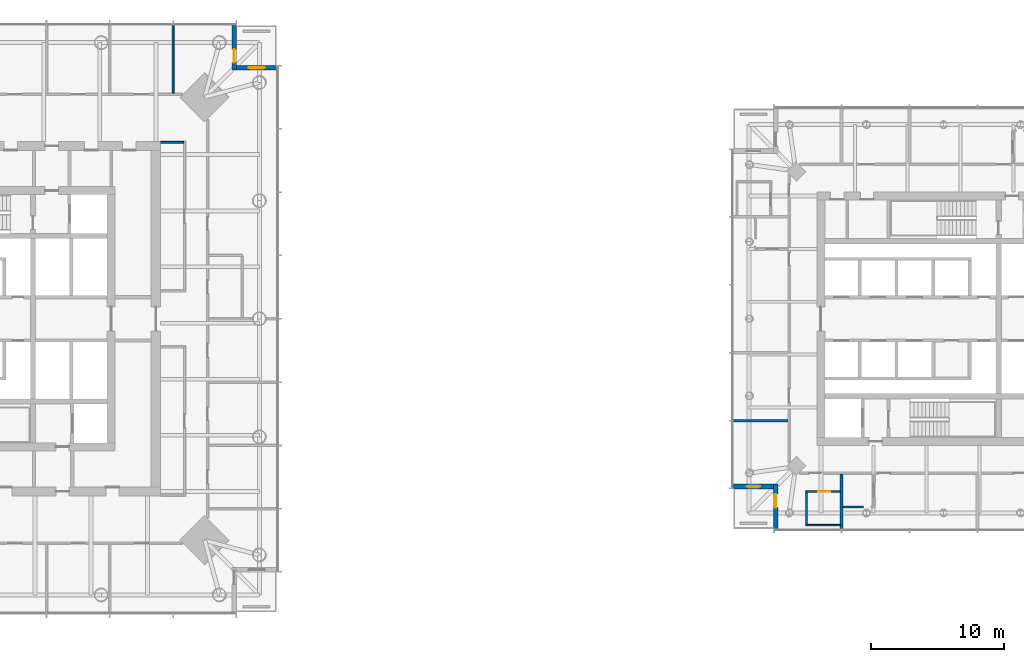
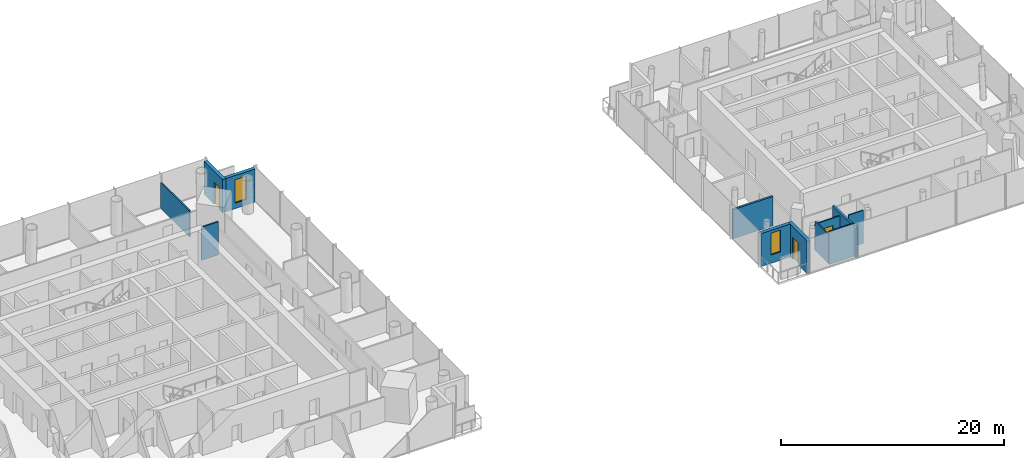
# One storey, part 12 of 18: 12 walls, 3 doors, 2 windows, 5 openings.
"""IFC4 building model written with IfcOpenShell, lengths in metres."""

from ifc_helpers import new_model, si_unit, direction, frame, frame_2d, origin, place, context, subcontext, project, spatial, rectangle, extrude, material, layer, layer_set, type_object, element, fill, save


model = new_model("IFC4")

# Units and contexts
model_context = context("Model", 3, precision=1e-05, world=origin(), true_north=direction((0.0, 1.0)))
body_context = subcontext(model_context, "Body", "Model", "MODEL_VIEW")
ifc_project = project(units=[si_unit("LENGTHUNIT", "METRE"), si_unit("AREAUNIT", "SQUARE_METRE"), si_unit("VOLUMEUNIT", "CUBIC_METRE"), si_unit("PLANEANGLEUNIT", "RADIAN"), si_unit("MASSUNIT", "GRAM", prefix="KILO")], contexts=[model_context])

# Site, building, storey
site_placement = place(None, origin())
site = spatial("IfcSite", under=ifc_project, at=site_placement, CompositionType="ELEMENT")
building_placement = place(site_placement, origin())
building = spatial("IfcBuilding", under=site, at=building_placement, Name="Ostroluk Exchange", CompositionType="ELEMENT")
storey_placement = place(building_placement, frame((0.0, 0.0, 123.60009765625)))
storey = spatial("IfcBuildingStorey", under=building, at=storey_placement, Name="L31", CompositionType="ELEMENT", Elevation=123.60009765625)

# Wall, opening, door
ifc_material_1 = material(Name="Limestone", Category="masonry")
ifc_layer_1 = layer(ifc_material_1, 0.35009765625)
ifc_layer_set_1 = layer_set([ifc_layer_1], Name="Limestone facade wall 350")
wall_type_1 = type_object("IfcWallType", Name="Limestone facade wall 350", PredefinedType="SOLIDWALL", material=ifc_layer_set_1)
wall_1_placement = place(storey_placement, frame((63.824951171875, 68.0, 0.0), z_axis=(0.0, 0.0, 1.0), x_axis=(0.0, -1.0, 0.0)))
wall_1 = element("IfcWall", 1, at=wall_1_placement, inside=storey, type_object=wall_type_1, Name="Office tower NE corner wall L31 a", PredefinedType="SOLIDWALL", context=body_context, shape_type="SweptSolid", body=[
    extrude(rectangle(XDim=3.35009765625, YDim=0.35009765625, at=frame_2d((1.675048828125, 0.0))), origin(), (0.0, 0.0, 1.0), 3.619873046875),
])
opening_1_placement = place(wall_1_placement, frame((1.800048828125, 0.0, 0.0)))
opening_1 = element("IfcOpeningElement", 2, at=opening_1_placement, cuts=wall_1, Name="Opening D-B1", PredefinedType="OPENING", context=body_context, shape_type="SweptSolid", body=[
    extrude(rectangle(XDim=1.0, YDim=2.39990234375, at=frame_2d((0.5, 1.199951171875))), frame((0.0, 0.18505859375, 0.0), z_axis=(0.0, -1.0, 0.0), x_axis=(1.0, 0.0, 0.0)), (0.0, 0.0, 1.0), 0.3701171875),
])
ifc_material_2 = material(Name="Bronze framed glazed door", Category="aluminium")
door_type_1 = type_object("IfcDoorType", Name="Balcony door 1000 x 2400", OperationType="SINGLE_SWING_LEFT", PredefinedType="DOOR", material=ifc_material_2)
door_1_placement = place(opening_1_placement, origin())
door_1 = element("IfcDoor", 3, at=door_1_placement, inside=storey, type_object=door_type_1, Name="Office tower NE balcony door L31", OperationType="SINGLE_SWING_RIGHT", OverallHeight=2.39990234375, OverallWidth=1.0, PredefinedType="DOOR", context=body_context, shape_type="SweptSolid", body=[
    extrude(rectangle(XDim=1.0, YDim=2.39990234375, at=frame_2d((0.5, 1.199951171875))), frame((0.0, 0.02490234375, 0.0), z_axis=(0.0, -1.0, 0.0), x_axis=(1.0, 0.0, 0.0)), (0.0, 0.0, 1.0), 0.050048828125),
])
fill(opening_1, door_1)

# Wall, opening, window
wall_2_placement = place(storey_placement, frame((64.0, 64.824951171875, 0.0), z_axis=(0.0, 0.0, 1.0), x_axis=(1.0, 0.0, 0.0)))
wall_2 = element("IfcWall", 4, at=wall_2_placement, inside=storey, type_object=wall_type_1, Name="Office tower NE corner wall L31 b", PredefinedType="SOLIDWALL", context=body_context, shape_type="SweptSolid", body=[
    extrude(rectangle(XDim=3.0, YDim=0.35009765625, at=frame_2d((1.5, 0.0))), origin(), (0.0, 0.0, 1.0), 3.619873046875),
])
opening_2_placement = place(wall_2_placement, frame((0.89990234375, 0.0, 0.60009765625)))
opening_2 = element("IfcOpeningElement", 5, at=opening_2_placement, cuts=wall_2, Name="Opening WN-L1", PredefinedType="OPENING", context=body_context, shape_type="SweptSolid", body=[
    extrude(rectangle(XDim=1.199951171875, YDim=2.550048828125, at=frame_2d((0.60009765625, 1.27490234375))), frame((0.0, 0.18505859375, 0.0), z_axis=(0.0, -1.0, 0.0), x_axis=(1.0, 0.0, 0.0)), (0.0, 0.0, 1.0), 0.3701171875),
])
ifc_material_3 = material(Name="Laminated clear glass", Category="glass")
window_type_1 = type_object("IfcWindowType", Name="Lancet window 1200 x 2550", PartitioningType="SINGLE_PANEL", PredefinedType="WINDOW", material=ifc_material_3)
window_1_placement = place(opening_2_placement, origin())
window_1 = element("IfcWindow", 6, at=window_1_placement, inside=storey, type_object=window_type_1, Name="Office tower NE lancet window L31", OverallHeight=2.550048828125, OverallWidth=1.199951171875, PartitioningType="SINGLE_PANEL", PredefinedType="WINDOW", context=body_context, shape_type="SweptSolid", body=[
    extrude(rectangle(XDim=1.199951171875, YDim=2.550048828125, at=frame_2d((0.60009765625, 1.27490234375))), frame((0.0, 0.030029296875, 0.0), z_axis=(0.0, -1.0, 0.0), x_axis=(1.0, 0.0, 0.0)), (0.0, 0.0, 1.0), 0.06005859375),
])
fill(opening_2, window_1)

# Wall, opening, door
wall_3_placement = place(storey_placement, frame((104.425048828125, 30.25, 0.0), z_axis=(0.0, 0.0, 1.0), x_axis=(0.0, 1.0, 0.0)))
wall_3 = element("IfcWall", 7, at=wall_3_placement, inside=storey, type_object=wall_type_1, Name="Hotel tower SW corner wall L31 a", PredefinedType="SOLIDWALL", context=body_context, shape_type="SweptSolid", body=[
    extrude(rectangle(XDim=3.35009765625, YDim=0.35009765625, at=frame_2d((1.675048828125, 0.0))), origin(), (0.0, 0.0, 1.0), 3.599853515625),
])
opening_3_placement = place(wall_3_placement, frame((1.60009765625, 0.0, 0.0)))
opening_3 = element("IfcOpeningElement", 8, at=opening_3_placement, cuts=wall_3, Name="Opening D-B1", PredefinedType="OPENING", context=body_context, shape_type="SweptSolid", body=[
    extrude(rectangle(XDim=1.0, YDim=2.39990234375, at=frame_2d((0.5, 1.199951171875))), frame((0.0, 0.18505859375, 0.0), z_axis=(0.0, -1.0, 0.0), x_axis=(1.0, 0.0, 0.0)), (0.0, 0.0, 1.0), 0.3701171875),
])
door_2_placement = place(opening_3_placement, origin())
door_2 = element("IfcDoor", 9, at=door_2_placement, inside=storey, type_object=door_type_1, Name="Hotel tower SW balcony door L31", OperationType="SINGLE_SWING_RIGHT", OverallHeight=2.39990234375, OverallWidth=1.0, PredefinedType="DOOR", context=body_context, shape_type="SweptSolid", body=[
    extrude(rectangle(XDim=1.0, YDim=2.39990234375, at=frame_2d((0.5, 1.199951171875))), frame((0.0, 0.02490234375, 0.0), z_axis=(0.0, -1.0, 0.0), x_axis=(1.0, 0.0, 0.0)), (0.0, 0.0, 1.0), 0.050048828125),
])
fill(opening_3, door_2)

# Wall, opening, window
wall_4_placement = place(storey_placement, frame((104.25, 33.425048828125, 0.0), z_axis=(0.0, 0.0, 1.0), x_axis=(-1.0, 0.0, 0.0)))
wall_4 = element("IfcWall", 10, at=wall_4_placement, inside=storey, type_object=wall_type_1, Name="Hotel tower SW corner wall L31 b", PredefinedType="SOLIDWALL", context=body_context, shape_type="SweptSolid", body=[
    extrude(rectangle(XDim=3.0, YDim=0.35009765625, at=frame_2d((1.5, 0.0))), origin(), (0.0, 0.0, 1.0), 3.599853515625),
])
opening_4_placement = place(wall_4_placement, frame((1.0, 0.0, 0.89990234375)))
opening_4 = element("IfcOpeningElement", 11, at=opening_4_placement, cuts=wall_4, Name="Opening WN-L3", PredefinedType="OPENING", context=body_context, shape_type="SweptSolid", body=[
    extrude(rectangle(XDim=1.0, YDim=2.39990234375, at=frame_2d((0.5, 1.199951171875))), frame((0.0, 0.18505859375, 0.0), z_axis=(0.0, -1.0, 0.0), x_axis=(1.0, 0.0, 0.0)), (0.0, 0.0, 1.0), 0.3701171875),
])
ifc_material_4 = material(Name="Laminated clear glass", Category="glass")
window_type_2 = type_object("IfcWindowType", Name="Hotel lancet window 1000 x 2400", PartitioningType="SINGLE_PANEL", PredefinedType="WINDOW", material=ifc_material_4)
window_2_placement = place(opening_4_placement, origin())
window_2 = element("IfcWindow", 12, at=window_2_placement, inside=storey, type_object=window_type_2, Name="Hotel tower SW lancet window L31", OverallHeight=2.39990234375, OverallWidth=1.0, PartitioningType="SINGLE_PANEL", PredefinedType="WINDOW", context=body_context, shape_type="SweptSolid", body=[
    extrude(rectangle(XDim=1.0, YDim=2.39990234375, at=frame_2d((0.5, 1.199951171875))), frame((0.0, 0.030029296875, 0.0), z_axis=(0.0, -1.0, 0.0), x_axis=(1.0, 0.0, 0.0)), (0.0, 0.0, 1.0), 0.06005859375),
])
fill(opening_4, window_2)

# Wall, opening, door
ifc_material_5 = material(Name="Gypsum plasterboard partition, moisture resistant", Category="gypsum")
ifc_layer_2 = layer(ifc_material_5, 0.1201171875)
ifc_layer_set_2 = layer_set([ifc_layer_2], Name="Plasterboard en-suite wall 120")
wall_type_2 = type_object("IfcWallType", Name="Plasterboard en-suite wall 120", PredefinedType="PARTITIONING", material=ifc_layer_set_2)
wall_5_placement = place(storey_placement, frame((109.25, 33.050048828125, 0.0), z_axis=(0.0, 0.0, 1.0), x_axis=(-1.0, 0.0, 0.0)))
wall_5 = element("IfcWall", 13, at=wall_5_placement, inside=storey, type_object=wall_type_2, Name="En-suite wall", PredefinedType="PARTITIONING", context=body_context, shape_type="SweptSolid", body=[
    extrude(rectangle(XDim=2.580078125, YDim=0.1201171875, at=frame_2d((1.2900390625, 0.0))), origin(), (0.0, 0.0, 1.0), 2.89990234375),
])
opening_5_placement = place(wall_5_placement, frame((0.75, 0.0, 0.0)))
opening_5 = element("IfcOpeningElement", 14, at=opening_5_placement, cuts=wall_5, Name="Opening D-02", PredefinedType="OPENING", context=body_context, shape_type="SweptSolid", body=[
    extrude(rectangle(XDim=0.89990234375, YDim=2.10009765625, at=frame_2d((0.449951171875, 1.050048828125))), frame((0.0, 0.070068359375, 0.0), z_axis=(0.0, -1.0, 0.0), x_axis=(1.0, 0.0, 0.0)), (0.0, 0.0, 1.0), 0.14013671875),
])
ifc_material_6 = material(Name="Timber", Category="wood")
door_type_2 = type_object("IfcDoorType", Name="En-suite door 900 x 2100", OperationType="SINGLE_SWING_LEFT", PredefinedType="DOOR", material=ifc_material_6)
door_3_placement = place(opening_5_placement, origin())
door_3 = element("IfcDoor", 15, at=door_3_placement, inside=storey, type_object=door_type_2, Name="En-suite door 3107", OperationType="SINGLE_SWING_LEFT", OverallHeight=2.10009765625, OverallWidth=0.89990234375, PredefinedType="DOOR", context=body_context, shape_type="SweptSolid", body=[
    extrude(rectangle(XDim=0.89990234375, YDim=2.10009765625, at=frame_2d((0.449951171875, 1.050048828125))), frame((0.0, 0.02490234375, 0.0), z_axis=(0.0, -1.0, 0.0), x_axis=(1.0, 0.0, 0.0)), (0.0, 0.0, 1.0), 0.050048828125),
])
fill(opening_5, door_3)

# Walls
wall_6_placement = place(storey_placement, frame((109.25, 30.530029296875, 0.0), z_axis=(0.0, 0.0, 1.0), x_axis=(-1.0, 0.0, 0.0)))
element("IfcWall", 16, at=wall_6_placement, inside=storey, type_object=wall_type_2, Name="En-suite wall", PredefinedType="PARTITIONING", context=body_context, shape_type="SweptSolid", body=[
    extrude(rectangle(XDim=2.580078125, YDim=0.1201171875, at=frame_2d((1.2900390625, 0.0))), origin(), (0.0, 0.0, 1.0), 3.599853515625),
])
wall_7_placement = place(storey_placement, frame((106.72998046875, 32.989990234375, 0.0), z_axis=(0.0, 0.0, 1.0), x_axis=(0.0, -1.0, 0.0)))
element("IfcWall", 17, at=wall_7_placement, inside=storey, type_object=wall_type_2, Name="En-suite wall", PredefinedType="PARTITIONING", context=body_context, shape_type="SweptSolid", body=[
    extrude(rectangle(XDim=2.39990234375, YDim=0.1201171875, at=frame_2d((1.199951171875, 0.0))), origin(), (0.0, 0.0, 1.0), 3.199951171875),
])
wall_8_placement = place(storey_placement, frame((109.449951171875, 31.889892578125, 0.0), z_axis=(0.0, 0.0, 1.0), x_axis=(1.0, 0.0, 0.0)))
element("IfcWall", 18, at=wall_8_placement, inside=storey, type_object=wall_type_2, Name="En-suite wall", PredefinedType="PARTITIONING", context=body_context, shape_type="SweptSolid", body=[
    extrude(rectangle(XDim=1.5458984375, YDim=0.1201171875, at=frame_2d((0.77294921875, 0.0))), origin(), (0.0, 0.0, 1.0), 3.599853515625),
])
ifc_material_7 = material(Name="Gypsum plasterboard partition", Category="gypsum")
ifc_layer_3 = layer(ifc_material_7, 0.14990234375)
ifc_layer_set_3 = layer_set([ifc_layer_3], Name="Plasterboard partition 150")
wall_type_3 = type_object("IfcWallType", Name="Plasterboard partition 150", PredefinedType="PARTITIONING", material=ifc_layer_set_3)
wall_9_placement = place(storey_placement, frame((58.300048828125, 59.22509765625, 0.0), z_axis=(0.0, 0.0, 1.0), x_axis=(1.0, 0.0, 0.0)))
element("IfcWall", 19, at=wall_9_placement, inside=storey, type_object=wall_type_3, Name="Partition", PredefinedType="PARTITIONING", context=body_context, shape_type="SweptSolid", body=[
    extrude(rectangle(XDim=1.724853515625, YDim=0.14990234375, at=frame_2d((0.8623046875, 0.0))), origin(), (0.0, 0.0, 1.0), 3.619873046875),
])
wall_10_placement = place(storey_placement, frame((59.25, 62.89990234375, 0.0), z_axis=(0.0, 0.0, 1.0), x_axis=(0.0, 1.0, 0.0)))
element("IfcWall", 20, at=wall_10_placement, inside=storey, type_object=wall_type_3, Name="Partition", PredefinedType="PARTITIONING", context=body_context, shape_type="SweptSolid", body=[
    extrude(rectangle(XDim=5.14013671875, YDim=0.14990234375, at=frame_2d((2.570068359375, 0.0))), origin(), (0.0, 0.0, 1.0), 2.81982421875),
])
ifc_material_8 = material(Name="Gypsum plasterboard partition", Category="gypsum")
ifc_layer_4 = layer(ifc_material_8, 0.199951171875)
ifc_layer_set_4 = layer_set([ifc_layer_4], Name="Plasterboard party wall 200")
wall_type_4 = type_object("IfcWallType", Name="Plasterboard party wall 200", PredefinedType="PARTITIONING", material=ifc_layer_set_4)
for number, where, z_axis, x_axis, name in (
    (21, (105.35009765625, 38.35009765625, 0.0), (0.0, 0.0, 1.0), (-1.0, 0.0, 0.0), "Party wall"),
    (22, (109.35009765625, 34.35009765625, 0.0), (0.0, 0.0, 1.0), (0.0, -1.0, 0.0), "Party wall"),
):
    element("IfcWall", number, at=place(storey_placement, frame(where, z_axis=z_axis, x_axis=x_axis)), inside=storey, type_object=wall_type_4, Name=name, PredefinedType="PARTITIONING", context=body_context, shape_type="SweptSolid", body=[
        extrude(rectangle(XDim=4.14013671875, YDim=0.199951171875, at=frame_2d((2.070068359375, 0.0))), origin(), (0.0, 0.0, 1.0), 3.199951171875),
    ])

save(model, "model.ifc")
